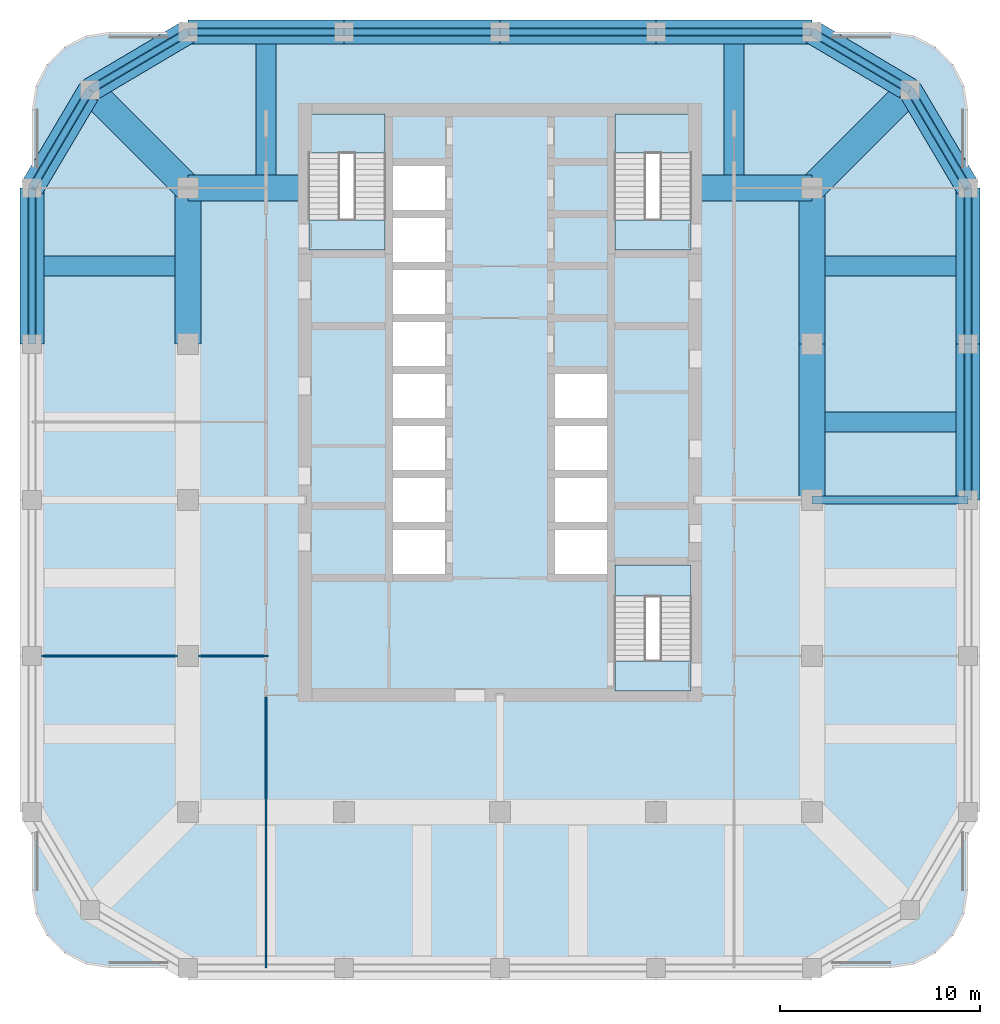
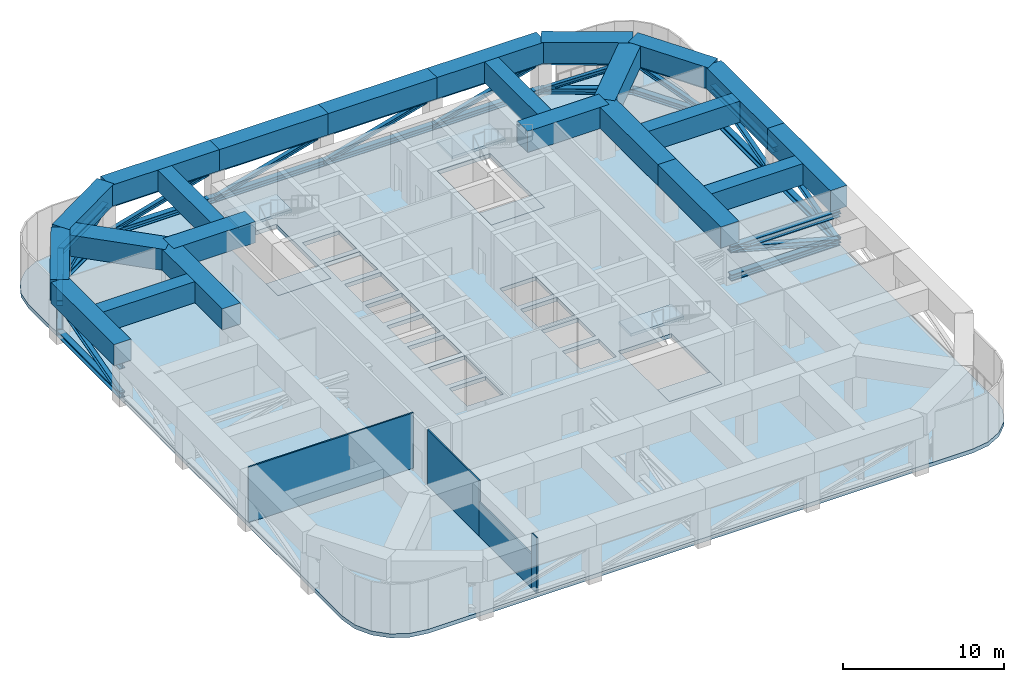
# One storey, part 2 of 9: 36 members, 23 beams, 7 slabs, 4 walls, 3 elements without a shape of their own.
"""IFC4 building model written with IfcOpenShell, lengths in metres."""

from ifc_helpers import new_model, si_unit, direction, frame, frame_2d, origin, origin_2d, place, context, subcontext, project, spatial, polyline, rectangle, i_section, outline, extrude, material, layer, layer_set, material_profile, profile_set, type_object, element, aggregate, save


model = new_model("IFC4")

# Units and contexts
model_context = context("Model", 3, precision=1e-05, world=origin(), true_north=direction((0.0, 1.0)))
body_context = subcontext(model_context, "Body", "Model", "MODEL_VIEW")
ifc_project = project(units=[si_unit("LENGTHUNIT", "METRE"), si_unit("AREAUNIT", "SQUARE_METRE"), si_unit("VOLUMEUNIT", "CUBIC_METRE"), si_unit("PLANEANGLEUNIT", "RADIAN"), si_unit("MASSUNIT", "GRAM", prefix="KILO")], contexts=[model_context])

# Site, building, storey
site_placement = place(None, origin())
site = spatial("IfcSite", under=ifc_project, at=site_placement, CompositionType="ELEMENT")
building_placement = place(site_placement, origin())
building = spatial("IfcBuilding", under=site, at=building_placement, Name="Ludao Terraces", CompositionType="ELEMENT")
storey_placement = place(building_placement, frame((0.0, 0.0, 95.39990234375)))
storey = spatial("IfcBuildingStorey", under=building, at=storey_placement, Name="L26", CompositionType="ELEMENT", Elevation=95.39990234375)

# Members
ifc_material_1 = material(Name="Steel Q355", Category="steel")
ifc_material_profile_1 = material_profile(ifc_material_1, i_section(OverallWidth=0.39990234375, OverallDepth=0.39990234375, WebThickness=0.012939453125, FlangeThickness=0.02099609375, at=origin_2d()), Name="HW 400X400X13X21")
ifc_profile_set_1 = profile_set([ifc_material_profile_1], Name="Steel Q355")
member_type_1 = type_object("IfcMemberType", Name="Belt truss chord HW 400x400x13x21 Q355", PredefinedType="CHORD", material=ifc_profile_set_1)
for number, where, z_axis, x_axis, name in (
    (1, (64.5, 85.5, 2.400146484375), (0.860579751256, 0.509315709288, 0.0), (-0.509315709288, 0.860579751256, 0.0), "Truss chord L26 BT7T1"),
    (2, (64.5, 85.5, 0.2001953125), (0.860579751256, 0.509315709288, 0.0), (-0.509315709288, 0.860579751256, 0.0), "Truss chord L26 BT7B1"),
):
    element("IfcMember", number, at=place(storey_placement, frame(where, z_axis=z_axis, x_axis=x_axis)), inside=storey, type_object=member_type_1, Name=name, PredefinedType="CHORD", context=body_context, shape_type="SweptSolid", body=[
        extrude(i_section(OverallWidth=0.39990234375, OverallDepth=0.39990234375, WebThickness=0.012939453125, FlangeThickness=0.02099609375, at=origin_2d()), origin(), (0.0, 0.0, 1.0), 5.693603515625),
    ])
for number, where, z_axis, x_axis, name in (
    (3, (69.39990234375, 88.39990234375, 2.400146484375), (1.0, 0.0, 0.0), (0.0, 1.0, 0.0), "Truss chord L26 BT8T1"),
    (4, (69.39990234375, 88.39990234375, 0.2001953125), (1.0, 0.0, 0.0), (0.0, 1.0, 0.0), "Truss chord L26 BT8B1"),
    (5, (77.199951171875, 88.39990234375, 2.400146484375), (1.0, 0.0, 0.0), (0.0, 1.0, 0.0), "Truss chord L26 BT9T1"),
    (6, (77.199951171875, 88.39990234375, 0.2001953125), (1.0, 0.0, 0.0), (0.0, 1.0, 0.0), "Truss chord L26 BT9B1"),
    (7, (85.0, 88.39990234375, 2.400146484375), (1.0, 0.0, 0.0), (0.0, 1.0, 0.0), "Truss chord L26 BT10T1"),
    (8, (85.0, 88.39990234375, 0.2001953125), (1.0, 0.0, 0.0), (0.0, 1.0, 0.0), "Truss chord L26 BT10B1"),
    (9, (92.800048828125, 88.39990234375, 2.400146484375), (1.0, 0.0, 0.0), (0.0, 1.0, 0.0), "Truss chord L26 BT11T1"),
    (10, (92.800048828125, 88.39990234375, 0.2001953125), (1.0, 0.0, 0.0), (0.0, 1.0, 0.0), "Truss chord L26 BT11B1"),
):
    element("IfcMember", number, at=place(storey_placement, frame(where, z_axis=z_axis, x_axis=x_axis)), inside=storey, type_object=member_type_1, Name=name, PredefinedType="CHORD", context=body_context, shape_type="SweptSolid", body=[
        extrude(i_section(OverallWidth=0.39990234375, OverallDepth=0.39990234375, WebThickness=0.012939453125, FlangeThickness=0.02099609375, at=origin_2d()), origin(), (0.0, 0.0, 1.0), 7.800048828125),
    ])
for number, where, z_axis, x_axis, name in (
    (11, (100.60009765625, 88.39990234375, 2.400146484375), (0.860579751256, -0.509315709288, 0.0), (0.509315709288, 0.860579751256, 0.0), "Truss chord L26 BT12T1"),
    (12, (100.60009765625, 88.39990234375, 0.2001953125), (0.860579751256, -0.509315709288, 0.0), (0.509315709288, 0.860579751256, 0.0), "Truss chord L26 BT12B1"),
):
    element("IfcMember", number, at=place(storey_placement, frame(where, z_axis=z_axis, x_axis=x_axis)), inside=storey, type_object=member_type_1, Name=name, PredefinedType="CHORD", context=body_context, shape_type="SweptSolid", body=[
        extrude(i_section(OverallWidth=0.39990234375, OverallDepth=0.39990234375, WebThickness=0.012939453125, FlangeThickness=0.02099609375, at=origin_2d()), origin(), (0.0, 0.0, 1.0), 5.693603515625),
    ])
for number, where, z_axis, x_axis, name in (
    (13, (61.60009765625, 72.800048828125, 2.400146484375), (0.0, 1.0, 0.0), (-1.0, 0.0, 0.0), "Truss chord L26 BT17T1"),
    (14, (61.60009765625, 72.800048828125, 0.2001953125), (0.0, 1.0, 0.0), (-1.0, 0.0, 0.0), "Truss chord L26 BT17B1"),
):
    element("IfcMember", number, at=place(storey_placement, frame(where, z_axis=z_axis, x_axis=x_axis)), inside=storey, type_object=member_type_1, Name=name, PredefinedType="CHORD", context=body_context, shape_type="SweptSolid", body=[
        extrude(i_section(OverallWidth=0.39990234375, OverallDepth=0.39990234375, WebThickness=0.012939453125, FlangeThickness=0.02099609375, at=origin_2d()), origin(), (0.0, 0.0, 1.0), 7.800048828125),
    ])
for number, where, z_axis, x_axis, name in (
    (15, (61.60009765625, 80.60009765625, 2.400146484375), (0.509315709288, 0.860579751256, 0.0), (-0.860579751256, 0.509315709288, 0.0), "Truss chord L26 BT18T1"),
    (16, (61.60009765625, 80.60009765625, 0.2001953125), (0.509315709288, 0.860579751256, 0.0), (-0.860579751256, 0.509315709288, 0.0), "Truss chord L26 BT18B1"),
):
    element("IfcMember", number, at=place(storey_placement, frame(where, z_axis=z_axis, x_axis=x_axis)), inside=storey, type_object=member_type_1, Name=name, PredefinedType="CHORD", context=body_context, shape_type="SweptSolid", body=[
        extrude(i_section(OverallWidth=0.39990234375, OverallDepth=0.39990234375, WebThickness=0.012939453125, FlangeThickness=0.02099609375, at=origin_2d()), origin(), (0.0, 0.0, 1.0), 5.693603515625),
    ])
for number, where, z_axis, x_axis, name in (
    (17, (108.39990234375, 65.0, 2.400146484375), (0.0, 1.0, 0.0), (-1.0, 0.0, 0.0), "Truss chord L26 BT22T1"),
    (18, (108.39990234375, 65.0, 0.2001953125), (0.0, 1.0, 0.0), (-1.0, 0.0, 0.0), "Truss chord L26 BT22B1"),
    (19, (108.39990234375, 72.800048828125, 2.400146484375), (0.0, 1.0, 0.0), (-1.0, 0.0, 0.0), "Truss chord L26 BT23T1"),
    (20, (108.39990234375, 72.800048828125, 0.2001953125), (0.0, 1.0, 0.0), (-1.0, 0.0, 0.0), "Truss chord L26 BT23B1"),
):
    element("IfcMember", number, at=place(storey_placement, frame(where, z_axis=z_axis, x_axis=x_axis)), inside=storey, type_object=member_type_1, Name=name, PredefinedType="CHORD", context=body_context, shape_type="SweptSolid", body=[
        extrude(i_section(OverallWidth=0.39990234375, OverallDepth=0.39990234375, WebThickness=0.012939453125, FlangeThickness=0.02099609375, at=origin_2d()), origin(), (0.0, 0.0, 1.0), 7.800048828125),
    ])
for number, where, z_axis, x_axis, name in (
    (21, (108.39990234375, 80.60009765625, 2.400146484375), (-0.509315709288, 0.860579751256, 0.0), (-0.860579751256, -0.509315709288, 0.0), "Truss chord L26 BT24T1"),
    (22, (108.39990234375, 80.60009765625, 0.2001953125), (-0.509315709288, 0.860579751256, 0.0), (-0.860579751256, -0.509315709288, 0.0), "Truss chord L26 BT24B1"),
):
    element("IfcMember", number, at=place(storey_placement, frame(where, z_axis=z_axis, x_axis=x_axis)), inside=storey, type_object=member_type_1, Name=name, PredefinedType="CHORD", context=body_context, shape_type="SweptSolid", body=[
        extrude(i_section(OverallWidth=0.39990234375, OverallDepth=0.39990234375, WebThickness=0.012939453125, FlangeThickness=0.02099609375, at=origin_2d()), origin(), (0.0, 0.0, 1.0), 5.693603515625),
    ])
ifc_material_profile_2 = material_profile(ifc_material_1, i_section(OverallWidth=0.300048828125, OverallDepth=0.300048828125, WebThickness=0.010009765625, FlangeThickness=0.014892578125, at=origin_2d()), Name="HW 300X300X10X15")
ifc_profile_set_2 = profile_set([ifc_material_profile_2], Name="Steel Q355")
member_type_2 = type_object("IfcMemberType", Name="Belt truss diagonal HW 300x300x10x15 Q355", PredefinedType="BRACE", material=ifc_profile_set_2)
member_1_placement = place(storey_placement, frame((64.5, 85.5, 0.2001953125), z_axis=(0.802742265641, 0.475085831155, 0.36041407851), x_axis=(-0.509315709288, 0.860579751256, 0.0)))
element("IfcMember", 23, at=member_1_placement, inside=storey, type_object=member_type_2, Name="Truss diagonal L26 BT71", PredefinedType="BRACE", context=body_context, shape_type="SweptSolid", body=[
    extrude(i_section(OverallWidth=0.300048828125, OverallDepth=0.300048828125, WebThickness=0.010009765625, FlangeThickness=0.014892578125, at=origin_2d()), origin(), (0.0, 0.0, 1.0), 6.10400390625),
])
for number, where, z_axis, x_axis, name in (
    (24, (69.39990234375, 88.39990234375, 0.2001953125), (0.962451694053, 0.0, 0.271453009957), (0.0, 1.0, 0.0), "Truss diagonal L26 BT81"),
    (25, (77.199951171875, 88.39990234375, 0.2001953125), (0.962451694053, 0.0, 0.271453009957), (0.0, 1.0, 0.0), "Truss diagonal L26 BT91"),
    (26, (85.0, 88.39990234375, 0.2001953125), (0.962451694053, 0.0, 0.271453009957), (0.0, 1.0, 0.0), "Truss diagonal L26 BT101"),
    (27, (92.800048828125, 88.39990234375, 0.2001953125), (0.962451694053, 0.0, 0.271453009957), (0.0, 1.0, 0.0), "Truss diagonal L26 BT111"),
):
    element("IfcMember", number, at=place(storey_placement, frame(where, z_axis=z_axis, x_axis=x_axis)), inside=storey, type_object=member_type_2, Name=name, PredefinedType="BRACE", context=body_context, shape_type="SweptSolid", body=[
        extrude(i_section(OverallWidth=0.300048828125, OverallDepth=0.300048828125, WebThickness=0.010009765625, FlangeThickness=0.014892578125, at=origin_2d()), origin(), (0.0, 0.0, 1.0), 8.104248046875),
    ])
member_2_placement = place(storey_placement, frame((100.60009765625, 88.39990234375, 0.2001953125), z_axis=(0.802742265641, -0.475085831155, 0.36041407851), x_axis=(0.509315709288, 0.860579751256, 0.0)))
element("IfcMember", 28, at=member_2_placement, inside=storey, type_object=member_type_2, Name="Truss diagonal L26 BT121", PredefinedType="BRACE", context=body_context, shape_type="SweptSolid", body=[
    extrude(i_section(OverallWidth=0.300048828125, OverallDepth=0.300048828125, WebThickness=0.010009765625, FlangeThickness=0.014892578125, at=origin_2d()), origin(), (0.0, 0.0, 1.0), 6.10400390625),
])
member_3_placement = place(storey_placement, frame((61.60009765625, 72.800048828125, 0.2001953125), z_axis=(0.0, 0.962451694053, 0.271453009957), x_axis=(-1.0, 0.0, 0.0)))
element("IfcMember", 29, at=member_3_placement, inside=storey, type_object=member_type_2, Name="Truss diagonal L26 BT171", PredefinedType="BRACE", context=body_context, shape_type="SweptSolid", body=[
    extrude(i_section(OverallWidth=0.300048828125, OverallDepth=0.300048828125, WebThickness=0.010009765625, FlangeThickness=0.014892578125, at=origin_2d()), origin(), (0.0, 0.0, 1.0), 8.104248046875),
])
member_4_placement = place(storey_placement, frame((61.60009765625, 80.60009765625, 0.2001953125), z_axis=(0.475085831155, 0.802742265641, 0.36041407851), x_axis=(-0.860579751256, 0.509315709288, 0.0)))
element("IfcMember", 30, at=member_4_placement, inside=storey, type_object=member_type_2, Name="Truss diagonal L26 BT181", PredefinedType="BRACE", context=body_context, shape_type="SweptSolid", body=[
    extrude(i_section(OverallWidth=0.300048828125, OverallDepth=0.300048828125, WebThickness=0.010009765625, FlangeThickness=0.014892578125, at=origin_2d()), origin(), (0.0, 0.0, 1.0), 6.10400390625),
])
for number, where, z_axis, x_axis, name in (
    (31, (108.39990234375, 65.0, 0.2001953125), (0.0, 0.962451694053, 0.271453009957), (-1.0, 0.0, 0.0), "Truss diagonal L26 BT221"),
    (32, (108.39990234375, 72.800048828125, 0.2001953125), (0.0, 0.962451694053, 0.271453009957), (-1.0, 0.0, 0.0), "Truss diagonal L26 BT231"),
):
    element("IfcMember", number, at=place(storey_placement, frame(where, z_axis=z_axis, x_axis=x_axis)), inside=storey, type_object=member_type_2, Name=name, PredefinedType="BRACE", context=body_context, shape_type="SweptSolid", body=[
        extrude(i_section(OverallWidth=0.300048828125, OverallDepth=0.300048828125, WebThickness=0.010009765625, FlangeThickness=0.014892578125, at=origin_2d()), origin(), (0.0, 0.0, 1.0), 8.104248046875),
    ])
member_5_placement = place(storey_placement, frame((108.39990234375, 80.60009765625, 0.2001953125), z_axis=(-0.475085831155, 0.802742265641, 0.36041407851), x_axis=(-0.860579751256, -0.509315709288, 0.0)))
element("IfcMember", 33, at=member_5_placement, inside=storey, type_object=member_type_2, Name="Truss diagonal L26 BT241", PredefinedType="BRACE", context=body_context, shape_type="SweptSolid", body=[
    extrude(i_section(OverallWidth=0.300048828125, OverallDepth=0.300048828125, WebThickness=0.010009765625, FlangeThickness=0.014892578125, at=origin_2d()), origin(), (0.0, 0.0, 1.0), 6.10400390625),
])
ifc_material_profile_3 = material_profile(ifc_material_1, i_section(OverallWidth=0.4169921875, OverallDepth=0.4580078125, WebThickness=0.030029296875, FlangeThickness=0.050048828125, at=origin_2d()), Name="HW 458X417X30X50")
ifc_profile_set_3 = profile_set([ifc_material_profile_3], Name="Steel Q355")
member_type_3 = type_object("IfcMemberType", Name="Outrigger chord HW 458x417x30x50 Q355", PredefinedType="CHORD", material=ifc_profile_set_3)
for number, where, z_axis, x_axis, name in (
    (34, (100.60009765625, 65.0, 2.37109375), (1.0, 0.0, 0.0), (0.0, 1.0, 0.0), "Truss chord L26 ORET2"),
    (35, (100.60009765625, 65.0, 0.22900390625), (1.0, 0.0, 0.0), (0.0, 1.0, 0.0), "Truss chord L26 OREB2"),
):
    element("IfcMember", number, at=place(storey_placement, frame(where, z_axis=z_axis, x_axis=x_axis)), inside=storey, type_object=member_type_3, Name=name, PredefinedType="CHORD", context=body_context, shape_type="SweptSolid", body=[
        extrude(i_section(OverallWidth=0.4169921875, OverallDepth=0.4580078125, WebThickness=0.030029296875, FlangeThickness=0.050048828125, at=origin_2d()), origin(), (0.0, 0.0, 1.0), 7.7998046875),
    ])
ifc_material_profile_4 = material_profile(ifc_material_1, i_section(OverallWidth=0.405029296875, OverallDepth=0.4140625, WebThickness=0.01806640625, FlangeThickness=0.028076171875, at=origin_2d()), Name="HW 414X405X18X28")
ifc_profile_set_4 = profile_set([ifc_material_profile_4], Name="Steel Q355")
member_type_4 = type_object("IfcMemberType", Name="Outrigger diagonal HW 414x405x18x28 Q355", PredefinedType="BRACE", material=ifc_profile_set_4)
member_6_placement = place(storey_placement, frame((100.60009765625, 65.0, 2.37109375), z_axis=(0.964295623692, 0.0, -0.264828152068), x_axis=(0.0, 1.0, 0.0)))
element("IfcMember", 36, at=member_6_placement, inside=storey, type_object=member_type_4, Name="Truss diagonal L26 ORE2", PredefinedType="BRACE", context=body_context, shape_type="SweptSolid", body=[
    extrude(i_section(OverallWidth=0.405029296875, OverallDepth=0.4140625, WebThickness=0.01806640625, FlangeThickness=0.028076171875, at=origin_2d()), origin(), (0.0, 0.0, 1.0), 8.088623046875),
])

# Beams
ifc_material_2 = material(Name="Concrete C60", Category="concrete")
ifc_material_profile_5 = material_profile(ifc_material_2, rectangle(XDim=1.0, YDim=1.60009765625, at=origin_2d()), Name="1000 X 1600")
ifc_profile_set_5 = profile_set([ifc_material_profile_5], Name="Concrete C60")
beam_type_1 = type_object("IfcBeamType", Name="RC beam 1000x1600 C60", PredefinedType="BEAM", material=ifc_profile_set_5)
for number, where, z_axis, x_axis, name in (
    (37, (73.300048828125, 87.800048828125, 3.400146484375), (0.0, -1.0, 0.0), (1.0, 0.0, 0.0), "Transfer girder L26 secondary N 4"),
    (38, (107.800048828125, 68.89990234375, 3.400146484375), (-1.0, 0.0, 0.0), (0.0, -1.0, 0.0), "Transfer girder L26 secondary E 9"),
    (39, (62.199951171875, 76.699951171875, 3.400146484375), (1.0, 0.0, 0.0), (0.0, 1.0, 0.0), "Transfer girder L26 secondary W 11"),
    (40, (107.800048828125, 76.699951171875, 3.400146484375), (-1.0, 0.0, 0.0), (0.0, -1.0, 0.0), "Transfer girder L26 secondary E 12"),
    (41, (96.699951171875, 87.800048828125, 3.400146484375), (0.0, -1.0, 0.0), (1.0, 0.0, 0.0), "Transfer girder L26 secondary N 14"),
):
    element("IfcBeam", number, at=place(storey_placement, frame(where, z_axis=z_axis, x_axis=x_axis)), inside=storey, type_object=beam_type_1, Name=name, PredefinedType="BEAM", context=body_context, shape_type="SweptSolid", body=[
        extrude(rectangle(XDim=1.0, YDim=1.60009765625, at=origin_2d()), origin(), (0.0, 0.0, 1.0), 6.550048828125),
    ])
ifc_material_profile_6 = material_profile(ifc_material_2, rectangle(XDim=1.199951171875, YDim=1.60009765625, at=origin_2d()), Name="1200 X 1600")
ifc_profile_set_6 = profile_set([ifc_material_profile_6], Name="Concrete C60")
beam_type_2 = type_object("IfcBeamType", Name="RC beam 1200x1600 C60", PredefinedType="BEAM", material=ifc_profile_set_6)
beam_1_placement = place(storey_placement, frame((64.5, 85.5, 3.400146484375), z_axis=(0.860579751256, 0.509315709288, 0.0), x_axis=(-0.509315709288, 0.860579751256, 0.0)))
element("IfcBeam", 42, at=beam_1_placement, inside=storey, type_object=beam_type_2, Name="Transfer girder L26 face N 7", PredefinedType="BEAM", context=body_context, shape_type="SweptSolid", body=[
    extrude(rectangle(XDim=1.199951171875, YDim=1.60009765625, at=origin_2d()), origin(), (0.0, 0.0, 1.0), 5.693603515625),
])
for number, where, z_axis, x_axis, name in (
    (43, (69.39990234375, 88.39990234375, 3.400146484375), (1.0, 0.0, 0.0), (0.0, 1.0, 0.0), "Transfer girder L26 face N 8"),
    (44, (77.199951171875, 88.39990234375, 3.400146484375), (1.0, 0.0, 0.0), (0.0, 1.0, 0.0), "Transfer girder L26 face N 9"),
    (45, (85.0, 88.39990234375, 3.400146484375), (1.0, 0.0, 0.0), (0.0, 1.0, 0.0), "Transfer girder L26 face N 10"),
    (46, (92.800048828125, 88.39990234375, 3.400146484375), (1.0, 0.0, 0.0), (0.0, 1.0, 0.0), "Transfer girder L26 face N 11"),
):
    element("IfcBeam", number, at=place(storey_placement, frame(where, z_axis=z_axis, x_axis=x_axis)), inside=storey, type_object=beam_type_2, Name=name, PredefinedType="BEAM", context=body_context, shape_type="SweptSolid", body=[
        extrude(rectangle(XDim=1.199951171875, YDim=1.60009765625, at=origin_2d()), origin(), (0.0, 0.0, 1.0), 7.800048828125),
    ])
beam_2_placement = place(storey_placement, frame((100.60009765625, 88.39990234375, 3.400146484375), z_axis=(0.860579751256, -0.509315709288, 0.0), x_axis=(0.509315709288, 0.860579751256, 0.0)))
element("IfcBeam", 47, at=beam_2_placement, inside=storey, type_object=beam_type_2, Name="Transfer girder L26 face N 12", PredefinedType="BEAM", context=body_context, shape_type="SweptSolid", body=[
    extrude(rectangle(XDim=1.199951171875, YDim=1.60009765625, at=origin_2d()), origin(), (0.0, 0.0, 1.0), 5.693603515625),
])
beam_3_placement = place(storey_placement, frame((61.60009765625, 72.800048828125, 3.400146484375), z_axis=(0.0, 1.0, 0.0), x_axis=(-1.0, 0.0, 0.0)))
element("IfcBeam", 48, at=beam_3_placement, inside=storey, type_object=beam_type_2, Name="Transfer girder L26 face W 17", PredefinedType="BEAM", context=body_context, shape_type="SweptSolid", body=[
    extrude(rectangle(XDim=1.199951171875, YDim=1.60009765625, at=origin_2d()), origin(), (0.0, 0.0, 1.0), 7.800048828125),
])
beam_4_placement = place(storey_placement, frame((61.60009765625, 80.60009765625, 3.400146484375), z_axis=(0.509315709288, 0.860579751256, 0.0), x_axis=(-0.860579751256, 0.509315709288, 0.0)))
element("IfcBeam", 49, at=beam_4_placement, inside=storey, type_object=beam_type_2, Name="Transfer girder L26 face W 18", PredefinedType="BEAM", context=body_context, shape_type="SweptSolid", body=[
    extrude(rectangle(XDim=1.199951171875, YDim=1.60009765625, at=origin_2d()), origin(), (0.0, 0.0, 1.0), 5.693603515625),
])
for number, where, z_axis, x_axis, name in (
    (50, (108.39990234375, 65.0, 3.400146484375), (0.0, 1.0, 0.0), (-1.0, 0.0, 0.0), "Transfer girder L26 face E 22"),
    (51, (108.39990234375, 72.800048828125, 3.400146484375), (0.0, 1.0, 0.0), (-1.0, 0.0, 0.0), "Transfer girder L26 face E 23"),
):
    element("IfcBeam", number, at=place(storey_placement, frame(where, z_axis=z_axis, x_axis=x_axis)), inside=storey, type_object=beam_type_2, Name=name, PredefinedType="BEAM", context=body_context, shape_type="SweptSolid", body=[
        extrude(rectangle(XDim=1.199951171875, YDim=1.60009765625, at=origin_2d()), origin(), (0.0, 0.0, 1.0), 7.800048828125),
    ])
beam_5_placement = place(storey_placement, frame((108.39990234375, 80.60009765625, 3.400146484375), z_axis=(-0.509315709288, 0.860579751256, 0.0), x_axis=(-0.860579751256, -0.509315709288, 0.0)))
element("IfcBeam", 52, at=beam_5_placement, inside=storey, type_object=beam_type_2, Name="Transfer girder L26 face E 24", PredefinedType="BEAM", context=body_context, shape_type="SweptSolid", body=[
    extrude(rectangle(XDim=1.199951171875, YDim=1.60009765625, at=origin_2d()), origin(), (0.0, 0.0, 1.0), 5.693603515625),
])
ifc_material_profile_7 = material_profile(ifc_material_2, rectangle(XDim=1.300048828125, YDim=1.60009765625, at=origin_2d()), Name="1300 X 1600")
ifc_profile_set_7 = profile_set([ifc_material_profile_7], Name="Concrete C60")
beam_type_3 = type_object("IfcBeamType", Name="RC beam 1300x1600 C60", PredefinedType="BEAM", material=ifc_profile_set_7)
for number, where, z_axis, x_axis, name in (
    (53, (69.39990234375, 72.800048828125, 3.400146484375), (0.0, 1.0, 0.0), (-1.0, 0.0, 0.0), "Transfer girder L26 second row 5"),
    (54, (100.60009765625, 65.0, 3.400146484375), (0.0, 1.0, 0.0), (-1.0, 0.0, 0.0), "Transfer girder L26 second row 11"),
    (55, (100.60009765625, 72.800048828125, 3.400146484375), (0.0, 1.0, 0.0), (-1.0, 0.0, 0.0), "Transfer girder L26 second row 12"),
):
    element("IfcBeam", number, at=place(storey_placement, frame(where, z_axis=z_axis, x_axis=x_axis)), inside=storey, type_object=beam_type_3, Name=name, PredefinedType="BEAM", context=body_context, shape_type="SweptSolid", body=[
        extrude(rectangle(XDim=1.300048828125, YDim=1.60009765625, at=origin_2d()), origin(), (0.0, 0.0, 1.0), 7.800048828125),
    ])
for number, where, z_axis, x_axis, name in (
    (56, (69.39990234375, 80.60009765625, 3.400146484375), (1.0, 0.0, 0.0), (0.0, 1.0, 0.0), "Transfer girder L26 second row north stub"),
    (57, (100.60009765625, 80.60009765625, 3.400146484375), (-1.0, 0.0, 0.0), (0.0, -1.0, 0.0), "Transfer girder L26 second row north stub"),
):
    element("IfcBeam", number, at=place(storey_placement, frame(where, z_axis=z_axis, x_axis=x_axis)), inside=storey, type_object=beam_type_3, Name=name, PredefinedType="BEAM", context=body_context, shape_type="SweptSolid", body=[
        extrude(rectangle(XDim=1.300048828125, YDim=1.60009765625, at=origin_2d()), origin(), (0.0, 0.0, 1.0), 5.85009765625),
    ])
ifc_material_profile_8 = material_profile(ifc_material_2, rectangle(XDim=1.39990234375, YDim=1.60009765625, at=origin_2d()), Name="1400 X 1600")
ifc_profile_set_8 = profile_set([ifc_material_profile_8], Name="Concrete C60")
beam_type_4 = type_object("IfcBeamType", Name="RC beam 1400x1600 C60", PredefinedType="BEAM", material=ifc_profile_set_8)
for number, where, z_axis, x_axis, name in (
    (58, (64.5, 85.5, 3.400146484375), (0.707106781187, -0.707106781187, 0.0), (0.707106781187, 0.707106781187, 0.0), "Transfer girder L26 corner NW"),
    (59, (105.5, 85.5, 3.400146484375), (-0.707106781187, -0.707106781187, 0.0), (0.707106781187, -0.707106781187, 0.0), "Transfer girder L26 corner NE"),
):
    element("IfcBeam", number, at=place(storey_placement, frame(where, z_axis=z_axis, x_axis=x_axis)), inside=storey, type_object=beam_type_4, Name=name, PredefinedType="BEAM", context=body_context, shape_type="SweptSolid", body=[
        extrude(rectangle(XDim=1.39990234375, YDim=1.60009765625, at=origin_2d()), origin(), (0.0, 0.0, 1.0), 6.929443359375),
    ])

# Slab
ifc_material_3 = material(Name="Concrete C40", Category="concrete")
ifc_layer_1 = layer(ifc_material_3, 0.300048828125)
ifc_layer_set_1 = layer_set([ifc_layer_1], Name="Floor slab 300 C40")
slab_type_1 = type_object("IfcSlabType", Name="Floor slab 300 C40", PredefinedType="FLOOR", material=ifc_layer_set_1)
slab_1_placement = place(storey_placement, frame((0.0, 0.0, -0.2998046875)))
element("IfcSlab", 60, at=slab_1_placement, inside=storey, type_object=slab_type_1, Name="Slab L26", PredefinedType="FLOOR", context=body_context, shape_type="SweptSolid", body=[
    extrude(outline(polyline([(104.5, 41.60009765625), (105.705078125, 41.790771484375), (106.79248046875, 42.3447265625), (107.6552734375, 43.20751953125), (108.209228515625, 44.294921875), (108.39990234375, 45.5), (108.39990234375, 84.5), (108.209228515625, 85.705078125), (107.6552734375, 86.79248046875), (106.79248046875, 87.6552734375), (105.705078125, 88.209228515625), (104.5, 88.39990234375), (65.5, 88.39990234375), (64.294921875, 88.209228515625), (63.20751953125, 87.6552734375), (62.3447265625, 86.79248046875), (61.790771484375, 85.705078125), (61.60009765625, 84.5), (61.60009765625, 45.5), (61.790771484375, 44.294921875), (62.3447265625, 43.20751953125), (63.20751953125, 42.3447265625), (64.294921875, 41.790771484375), (65.5, 41.60009765625), (104.5, 41.60009765625)]), holes=[polyline([(79.64990234375, 61.300048828125), (82.25, 61.300048828125), (82.25, 63.5), (79.64990234375, 63.5), (79.64990234375, 61.300048828125)]), polyline([(79.64990234375, 63.89990234375), (82.25, 63.89990234375), (82.25, 66.10009765625), (79.64990234375, 66.10009765625), (79.64990234375, 63.89990234375)]), polyline([(79.64990234375, 66.5), (82.25, 66.5), (82.25, 68.699951171875), (79.64990234375, 68.699951171875), (79.64990234375, 66.5)]), polyline([(79.64990234375, 69.10009765625), (82.25, 69.10009765625), (82.25, 71.300048828125), (79.64990234375, 71.300048828125), (79.64990234375, 69.10009765625)]), polyline([(79.64990234375, 71.699951171875), (82.25, 71.699951171875), (82.25, 73.89990234375), (79.64990234375, 73.89990234375), (79.64990234375, 71.699951171875)]), polyline([(79.64990234375, 74.300048828125), (82.25, 74.300048828125), (82.25, 76.5), (79.64990234375, 76.5), (79.64990234375, 74.300048828125)]), polyline([(79.64990234375, 76.89990234375), (82.25, 76.89990234375), (82.25, 79.10009765625), (79.64990234375, 79.10009765625), (79.64990234375, 76.89990234375)]), polyline([(79.64990234375, 79.5), (82.25, 79.5), (82.25, 81.699951171875), (79.64990234375, 81.699951171875), (79.64990234375, 79.5)]), polyline([(87.75, 61.300048828125), (90.35009765625, 61.300048828125), (90.35009765625, 63.5), (87.75, 63.5), (87.75, 61.300048828125)]), polyline([(87.75, 63.89990234375), (90.35009765625, 63.89990234375), (90.35009765625, 66.10009765625), (87.75, 66.10009765625), (87.75, 63.89990234375)]), polyline([(87.75, 66.5), (90.35009765625, 66.5), (90.35009765625, 68.699951171875), (87.75, 68.699951171875), (87.75, 66.5)]), polyline([(87.75, 69.10009765625), (90.35009765625, 69.10009765625), (90.35009765625, 71.300048828125), (87.75, 71.300048828125), (87.75, 69.10009765625)]), polyline([(75.449951171875, 77.5), (79.25, 77.5), (79.25, 84.239990234375), (75.449951171875, 84.239990234375), (75.449951171875, 77.5)]), polyline([(90.75, 77.5), (94.550048828125, 77.5), (94.550048828125, 84.239990234375), (90.75, 84.239990234375), (90.75, 77.5)]), polyline([(90.75, 55.449951171875), (94.550048828125, 55.449951171875), (94.550048828125, 61.75), (90.75, 61.75), (90.75, 55.449951171875)])]), origin(), (0.0, 0.0, 1.0), 0.2998046875),
])

# Stair, slabs
stair_type = type_object("IfcStairType", Name="INT Stair", PredefinedType="HALF_TURN_STAIR", material=ifc_material_3)
stair_1_placement = place(storey_placement, origin())
stair_1 = element("IfcStair", 61, at=stair_1_placement, inside=storey, type_object=stair_type, Name="EXIT STAIR 1", PredefinedType="HALF_TURN_STAIR")
ifc_layer_2 = layer(ifc_material_3, 0.199951171875)
ifc_layer_set_2 = layer_set([ifc_layer_2], Name="INT Stair landing 200")
slab_type_2 = type_object("IfcSlabType", Name="INT Stair landing 200", PredefinedType="LANDING", material=ifc_layer_set_2)
slab_2_placement = place(storey_placement, frame((0.0, 0.0, 2.050048828125)))
slab_2 = element("IfcSlab", 62, at=slab_2_placement, type_object=slab_type_2, Name="ST1 landing 1", PredefinedType="LANDING", context=body_context, shape_type="SweptSolid", body=[
    extrude(outline(polyline([(75.449951171875, 82.360107421875), (79.25, 82.360107421875), (79.25, 84.300048828125), (75.449951171875, 84.300048828125), (75.449951171875, 82.360107421875)])), origin(), (0.0, 0.0, 1.0), 0.199951171875),
])
slab_3_placement = place(storey_placement, frame((0.0, 0.0, -0.199951171875)))
slab_3 = element("IfcSlab", 63, at=slab_3_placement, type_object=slab_type_2, Name="ST1 landing 2", PredefinedType="LANDING", context=body_context, shape_type="SweptSolid", body=[
    extrude(outline(polyline([(75.449951171875, 77.5), (79.25, 77.5), (79.25, 79.0), (75.449951171875, 79.0), (75.449951171875, 77.5)])), origin(), (0.0, 0.0, 1.0), 0.199951171875),
])
aggregate(stair_1, [slab_2, slab_3])

stair_2_placement = place(storey_placement, origin())
stair_2 = element("IfcStair", 64, at=stair_2_placement, inside=storey, type_object=stair_type, Name="EXIT STAIR 2", PredefinedType="HALF_TURN_STAIR")
slab_4_placement = place(storey_placement, frame((0.0, 0.0, 2.050048828125)))
slab_4 = element("IfcSlab", 65, at=slab_4_placement, type_object=slab_type_2, Name="ST2 landing 1", PredefinedType="LANDING", context=body_context, shape_type="SweptSolid", body=[
    extrude(outline(polyline([(90.75, 82.360107421875), (94.550048828125, 82.360107421875), (94.550048828125, 84.300048828125), (90.75, 84.300048828125), (90.75, 82.360107421875)])), origin(), (0.0, 0.0, 1.0), 0.199951171875),
])
slab_5_placement = place(storey_placement, frame((0.0, 0.0, -0.199951171875)))
slab_5 = element("IfcSlab", 66, at=slab_5_placement, type_object=slab_type_2, Name="ST2 landing 2", PredefinedType="LANDING", context=body_context, shape_type="SweptSolid", body=[
    extrude(outline(polyline([(90.75, 77.5), (94.550048828125, 77.5), (94.550048828125, 79.0), (90.75, 79.0), (90.75, 77.5)])), origin(), (0.0, 0.0, 1.0), 0.199951171875),
])
aggregate(stair_2, [slab_4, slab_5])

stair_3_placement = place(storey_placement, origin())
stair_3 = element("IfcStair", 67, at=stair_3_placement, inside=storey, type_object=stair_type, Name="EXIT STAIR 3", PredefinedType="HALF_TURN_STAIR")
slab_6_placement = place(storey_placement, frame((0.0, 0.0, 2.050048828125)))
slab_6 = element("IfcSlab", 68, at=slab_6_placement, type_object=slab_type_2, Name="ST3 landing 1", PredefinedType="LANDING", context=body_context, shape_type="SweptSolid", body=[
    extrude(outline(polyline([(90.75, 60.18994140625), (94.550048828125, 60.18994140625), (94.550048828125, 61.75), (90.75, 61.75), (90.75, 60.18994140625)])), origin(), (0.0, 0.0, 1.0), 0.199951171875),
])
slab_7_placement = place(storey_placement, frame((0.0, 0.0, -0.199951171875)))
slab_7 = element("IfcSlab", 69, at=slab_7_placement, type_object=slab_type_2, Name="ST3 landing 2", PredefinedType="LANDING", context=body_context, shape_type="SweptSolid", body=[
    extrude(outline(polyline([(90.75, 55.449951171875), (94.550048828125, 55.449951171875), (94.550048828125, 56.949951171875), (90.75, 56.949951171875), (90.75, 55.449951171875)])), origin(), (0.0, 0.0, 1.0), 0.199951171875),
])
aggregate(stair_3, [slab_6, slab_7])

# Walls
ifc_material_4 = material(Name="Gypsum plasterboard", Category="gypsum")
ifc_layer_3 = layer(ifc_material_4, 0.012451171875, Category="gypsum")
ifc_material_5 = material(Name="Mineral wool")
ifc_layer_4 = layer(ifc_material_5, 0.06005859375, Name="insulation")
ifc_material_6 = material(Name="Steel Q235", Category="steel")
ifc_layer_5 = layer(ifc_material_6, 0.014892578125, Name="stud")
ifc_layer_6 = layer(ifc_material_4, 0.012451171875, Category="gypsum")
ifc_layer_set_3 = layer_set([ifc_layer_3, ifc_layer_4, ifc_layer_5, ifc_layer_6], Name="INT Partition 100")
wall_type = type_object("IfcWallType", Name="INT Partition 100", PredefinedType="PARTITIONING", material=ifc_layer_set_3)
wall_1_placement = place(storey_placement, frame((61.60009765625, 57.199951171875, 0.0), z_axis=(0.0, 0.0, 1.0), x_axis=(1.0, 0.0, 0.0)))
element("IfcWall", 70, at=wall_1_placement, inside=storey, type_object=wall_type, Name="PW-L26-PW002", PredefinedType="PARTITIONING", context=body_context, shape_type="SweptSolid", body=[
    extrude(rectangle(XDim=11.800048828125, YDim=0.10009765625, at=frame_2d((5.89990234375, 0.0))), origin(), (0.0, 0.0, 1.0), 4.2001953125),
])
wall_2_placement = place(storey_placement, frame((73.300048828125, 41.60009765625, 0.0), z_axis=(0.0, 0.0, 1.0), x_axis=(0.0, 1.0, 0.0)))
element("IfcWall", 71, at=wall_2_placement, inside=storey, type_object=wall_type, Name="PW-L26-PW013", PredefinedType="PARTITIONING", context=body_context, shape_type="SweptSolid", body=[
    extrude(rectangle(XDim=0.599853515625, YDim=0.10009765625, at=frame_2d((0.2998046875, 0.0))), origin(), (0.0, 0.0, 1.0), 4.2001953125),
])
wall_3_placement = place(storey_placement, frame((73.300048828125, 42.199951171875, 0.0), z_axis=(0.0, 0.0, 1.0), x_axis=(0.0, 1.0, 0.0)))
element("IfcWall", 72, at=wall_3_placement, inside=storey, type_object=wall_type, Name="PW-L26-PW013-2", PredefinedType="PARTITIONING", context=body_context, shape_type="SweptSolid", body=[
    extrude(rectangle(XDim=6.550048828125, YDim=0.10009765625, at=frame_2d((3.27490234375, 0.0))), origin(), (0.0, 0.0, 1.0), 2.60009765625),
])
wall_4_placement = place(storey_placement, frame((73.300048828125, 48.75, 0.0), z_axis=(0.0, 0.0, 1.0), x_axis=(0.0, 1.0, 0.0)))
element("IfcWall", 73, at=wall_4_placement, inside=storey, type_object=wall_type, Name="PW-L26-PW013-3", PredefinedType="PARTITIONING", context=body_context, shape_type="SweptSolid", body=[
    extrude(rectangle(XDim=6.400146484375, YDim=0.10009765625, at=frame_2d((3.2001953125, 0.0))), origin(), (0.0, 0.0, 1.0), 4.2001953125),
])

save(model, "model.ifc")
